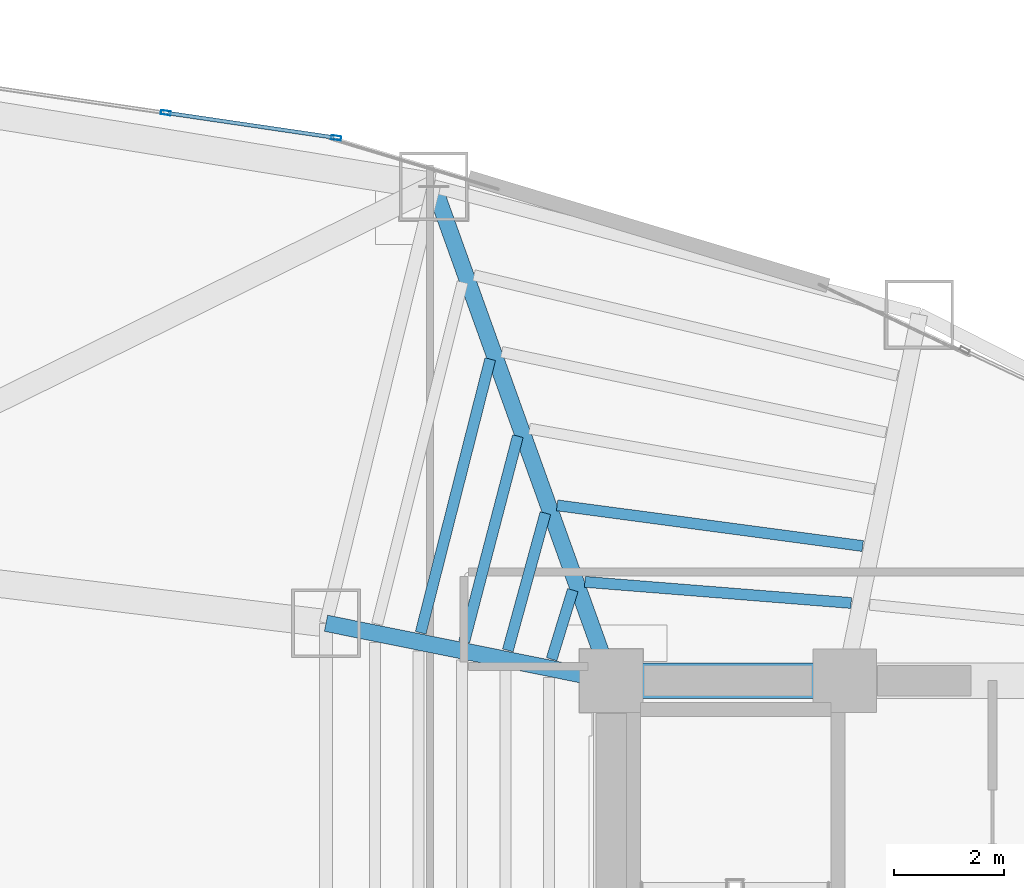
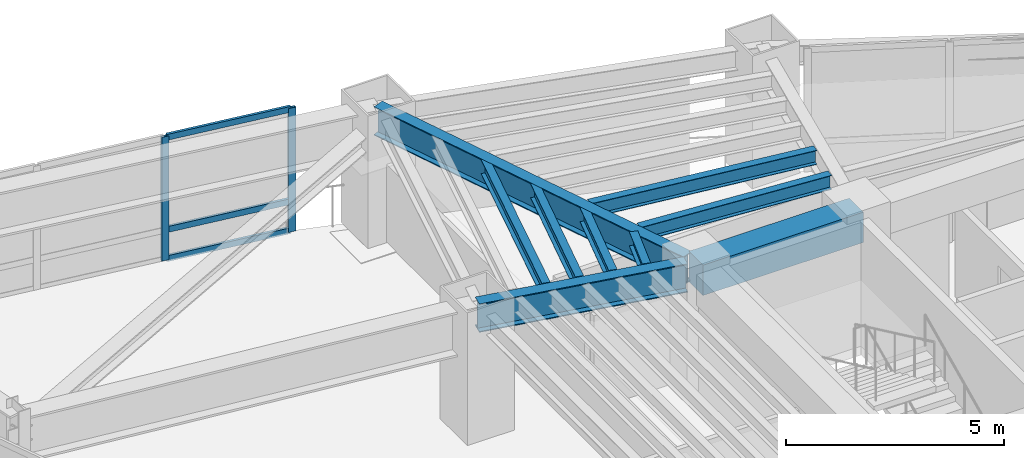
# One storey, part 12 of 23: 9 beams, 5 members, 1 element without a shape of its own.
"""IFC4 building model written with IfcOpenShell, lengths in metres."""

from ifc_helpers import new_model, si_unit, direction, frame, origin, origin_2d, place, context, subcontext, project, spatial, rectangle, hollow_rectangle, i_section, extrude, material, layer, layer_set, material_profile, profile_set, type_object, element, aggregate, save


model = new_model("IFC4")

# Units and contexts
model_context = context("Model", 3, precision=1e-05, world=origin(), true_north=direction((0.0, 1.0)))
body_context = subcontext(model_context, "Body", "Model", "MODEL_VIEW")
ifc_project = project(units=[si_unit("LENGTHUNIT", "METRE"), si_unit("AREAUNIT", "SQUARE_METRE"), si_unit("VOLUMEUNIT", "CUBIC_METRE"), si_unit("PLANEANGLEUNIT", "RADIAN"), si_unit("MASSUNIT", "GRAM", prefix="KILO")], contexts=[model_context])

# Site, building, storey
site_placement = place(None, origin())
site = spatial("IfcSite", under=ifc_project, at=site_placement, CompositionType="ELEMENT")
building_placement = place(site_placement, origin())
building = spatial("IfcBuilding", under=site, at=building_placement, Name="Menara Vayukalpa", CompositionType="ELEMENT")
storey_placement = place(building_placement, frame((0.0, 0.0, 111.419921875)))
storey = spatial("IfcBuildingStorey", under=building, at=storey_placement, Name="L27", CompositionType="ELEMENT", Elevation=111.419921875)

# Beams
ifc_material_1 = material(Name="Concrete C60/75", Category="concrete")
ifc_material_profile_1 = material_profile(ifc_material_1, rectangle(XDim=0.64990234375, YDim=0.85009765625, at=origin_2d()), Name="RC 650x850")
ifc_profile_set_1 = profile_set([ifc_material_profile_1], Name="Concrete C60/75")
beam_type_1 = type_object("IfcBeamType", Name="BM-CB1", PredefinedType="BEAM", material=ifc_profile_set_1)
beam_1_placement = place(storey_placement, frame((17.800048828125, 26.800048828125, 3.045166015625), z_axis=(1.0, 0.0, 0.0), x_axis=(0.0, 1.0, 0.0)))
element("IfcBeam", 1, at=beam_1_placement, inside=storey, type_object=beam_type_1, Name="L27 Core Tie Beam CBR4", PredefinedType="BEAM", context=body_context, shape_type="SweptSolid", body=[
    extrude(rectangle(XDim=0.64990234375, YDim=0.85009765625, at=origin_2d()), origin(), (0.0, 0.0, 1.0), 4.25),
])
ifc_material_2 = material(Name="Steel S355", Category="steel")
ifc_material_profile_2 = material_profile(ifc_material_2, i_section(OverallWidth=0.300048828125, OverallDepth=0.800048828125, WebThickness=0.013916015625, FlangeThickness=0.02587890625, at=origin_2d()), Name="WF 800x300x14x26")
ifc_profile_set_2 = profile_set([ifc_material_profile_2], Name="Steel S355")
beam_type_2 = type_object("IfcBeamType", Name="BM-PG3", PredefinedType="BEAM", material=ifc_profile_set_2)
beam_2_placement = place(storey_placement, frame((17.715576171875, 27.035400390625, 3.070068359375), z_axis=(-0.337975542909, 0.941154892882, 0.0), x_axis=(-0.941154892882, -0.337975542909, 0.0)))
element("IfcBeam", 2, at=beam_2_placement, inside=storey, type_object=beam_type_2, Name="L27 Primary Radial Girder RG04", PredefinedType="BEAM", context=body_context, shape_type="SweptSolid", body=[
    extrude(i_section(OverallWidth=0.300048828125, OverallDepth=0.800048828125, WebThickness=0.013916015625, FlangeThickness=0.02587890625, at=origin_2d()), origin(), (0.0, 0.0, 1.0), 9.309814453125),
])
beam_3_placement = place(storey_placement, frame((17.554931640625, 26.849365234375, 3.070068359375), z_axis=(-0.980324984906, 0.197390283373, 0.0), x_axis=(-0.197390283373, -0.980324984906, 0.0)))
element("IfcBeam", 3, at=beam_3_placement, inside=storey, type_object=beam_type_2, Name="L27 Primary Radial Girder RG05", PredefinedType="BEAM", context=body_context, shape_type="SweptSolid", body=[
    extrude(i_section(OverallWidth=0.300048828125, OverallDepth=0.800048828125, WebThickness=0.013916015625, FlangeThickness=0.02587890625, at=origin_2d()), origin(), (0.0, 0.0, 1.0), 5.047607421875),
])
ifc_material_3 = material(Name="Steel S355", Category="steel")
ifc_material_profile_3 = material_profile(ifc_material_3, i_section(OverallWidth=0.199951171875, OverallDepth=0.39990234375, WebThickness=0.008056640625, FlangeThickness=0.012939453125, at=origin_2d()), Name="WF 400x200x8x13")
ifc_profile_set_3 = profile_set([ifc_material_profile_3], Name="Steel S355")
beam_type_3 = type_object("IfcBeamType", Name="BM-SJ2", PredefinedType="JOIST", material=ifc_profile_set_3)
beam_4_placement = place(storey_placement, frame((22.166015625, 28.214599609375, 3.27001953125), z_axis=(-0.996868534468, 0.079076703187, 0.0), x_axis=(-0.079076703187, -0.996868534468, 0.0)))
element("IfcBeam", 4, at=beam_4_placement, inside=storey, type_object=beam_type_3, Name="L27 Secondary Floor Joist SJ03-1", PredefinedType="JOIST", context=body_context, shape_type="SweptSolid", body=[
    extrude(i_section(OverallWidth=0.199951171875, OverallDepth=0.39990234375, WebThickness=0.008056640625, FlangeThickness=0.012939453125, at=origin_2d()), origin(), (0.0, 0.0, 1.0), 4.862548828125),
])
beam_5_placement = place(storey_placement, frame((22.376220703125, 29.251220703125, 3.27001953125), z_axis=(-0.991248408809, 0.132009817941, 0.0), x_axis=(-0.132009817941, -0.991248408809, 0.0)))
element("IfcBeam", 5, at=beam_5_placement, inside=storey, type_object=beam_type_3, Name="L27 Secondary Floor Joist SJ03-2", PredefinedType="JOIST", context=body_context, shape_type="SweptSolid", body=[
    extrude(i_section(OverallWidth=0.199951171875, OverallDepth=0.39990234375, WebThickness=0.008056640625, FlangeThickness=0.012939453125, at=origin_2d()), origin(), (0.0, 0.0, 1.0), 5.611083984375),
])
beam_6_placement = place(storey_placement, frame((17.099365234375, 28.449951171875, 3.27001953125), z_axis=(-0.292651981473, -0.956219021846, 0.0), x_axis=(0.956219021846, -0.292651981473, 0.0)))
element("IfcBeam", 6, at=beam_6_placement, inside=storey, type_object=beam_type_3, Name="L27 Secondary Floor Joist SJ04-1", PredefinedType="JOIST", context=body_context, shape_type="SweptSolid", body=[
    extrude(i_section(OverallWidth=0.199951171875, OverallDepth=0.39990234375, WebThickness=0.008056640625, FlangeThickness=0.012939453125, at=origin_2d()), origin(), (0.0, 0.0, 1.0), 1.31640625),
])
beam_7_placement = place(storey_placement, frame((16.600830078125, 29.850341796875, 3.27001953125), z_axis=(-0.263922858843, -0.964543790908, 0.0), x_axis=(0.964543790908, -0.263922858843, 0.0)))
element("IfcBeam", 7, at=beam_7_placement, inside=storey, type_object=beam_type_3, Name="L27 Secondary Floor Joist SJ04-2", PredefinedType="JOIST", context=body_context, shape_type="SweptSolid", body=[
    extrude(i_section(OverallWidth=0.199951171875, OverallDepth=0.39990234375, WebThickness=0.008056640625, FlangeThickness=0.012939453125, at=origin_2d()), origin(), (0.0, 0.0, 1.0), 2.590087890625),
])
beam_8_placement = place(storey_placement, frame((16.099365234375, 31.251953125, 3.27001953125), z_axis=(-0.252406469257, -0.967621296933, 0.0), x_axis=(0.967621296933, -0.252406469257, 0.0)))
element("IfcBeam", 8, at=beam_8_placement, inside=storey, type_object=beam_type_3, Name="L27 Secondary Floor Joist SJ04-3", PredefinedType="JOIST", context=body_context, shape_type="SweptSolid", body=[
    extrude(i_section(OverallWidth=0.199951171875, OverallDepth=0.39990234375, WebThickness=0.008056640625, FlangeThickness=0.012939453125, at=origin_2d()), origin(), (0.0, 0.0, 1.0), 3.865234375),
])
beam_9_placement = place(storey_placement, frame((15.596923828125, 32.653564453125, 3.27001953125), z_axis=(-0.246311066692, -0.969190826631, 0.0), x_axis=(0.969190826631, -0.246311066692, 0.0)))
element("IfcBeam", 9, at=beam_9_placement, inside=storey, type_object=beam_type_3, Name="L27 Secondary Floor Joist SJ04-4", PredefinedType="JOIST", context=body_context, shape_type="SweptSolid", body=[
    extrude(i_section(OverallWidth=0.199951171875, OverallDepth=0.39990234375, WebThickness=0.008056640625, FlangeThickness=0.012939453125, at=origin_2d()), origin(), (0.0, 0.0, 1.0), 5.140380859375),
])

# Curtain wall, members
ifc_material_4 = material(Name="Anodised Terracotta Aluminium Alloy 6063-T6", Category="masonry")
ifc_layer = layer(ifc_material_4, 0.179931640625)
ifc_layer_set = layer_set([ifc_layer], Name="Anodised Terracotta Aluminium Alloy 6063-T6")
curtain_wall_type = type_object("IfcCurtainWallType", Name="CW-CW4", PredefinedType="USERDEFINED", material=ifc_layer_set)
curtain_wall_placement = place(storey_placement, origin())
curtain_wall = element("IfcCurtainWall", 10, at=curtain_wall_placement, inside=storey, type_object=curtain_wall_type, Name="L27 Sky Bar Cantilever Glazed Curtain Wall CW4 07", ObjectType="UNITISED", PredefinedType="USERDEFINED")
ifc_material_5 = material(Name="Anodised Terracotta Aluminium Alloy 6063-T6", Category="masonry")
ifc_material_profile_4 = material_profile(ifc_material_5, hollow_rectangle(XDim=0.074951171875, YDim=0.179931640625, WallThickness=0.00390625, at=origin_2d()), Name="ALU 75x180x4")
ifc_profile_set_4 = profile_set([ifc_material_profile_4], Name="Anodised Terracotta Aluminium Alloy 6063-T6")
member_type_1 = type_object("IfcMemberType", Name="CWM-CW4", PredefinedType="MULLION", material=ifc_profile_set_4)
member_1_placement = place(storey_placement, frame((12.792236328125, 36.681396484375, 0.0), z_axis=(0.0, 0.0, 1.0), x_axis=(-0.145450733924, -0.989365495659, 0.0)))
member_1 = element("IfcMember", 11, at=member_1_placement, type_object=member_type_1, Name="CW4 mullion 1", PredefinedType="MULLION", context=body_context, shape_type="SweptSolid", body=[
    extrude(hollow_rectangle(XDim=0.074951171875, YDim=0.179931640625, WallThickness=0.00390625, at=origin_2d()), origin(), (0.0, 0.0, 1.0), 3.469970703125),
])
member_2_placement = place(storey_placement, frame((9.690673828125, 37.137451171875, 0.0), z_axis=(0.0, 0.0, 1.0), x_axis=(-0.145450733924, -0.989365495659, 0.0)))
member_2 = element("IfcMember", 12, at=member_2_placement, type_object=member_type_1, Name="CW4 mullion 2", PredefinedType="MULLION", context=body_context, shape_type="SweptSolid", body=[
    extrude(hollow_rectangle(XDim=0.074951171875, YDim=0.179931640625, WallThickness=0.00390625, at=origin_2d()), origin(), (0.0, 0.0, 1.0), 3.469970703125),
])
ifc_material_6 = material(Name="Anodised Terracotta Aluminium Alloy 6063-T6", Category="masonry")
ifc_material_profile_5 = material_profile(ifc_material_6, hollow_rectangle(XDim=0.070068359375, YDim=0.1650390625, WallThickness=0.00390625, at=origin_2d()), Name="ALU 70x165x4")
ifc_profile_set_5 = profile_set([ifc_material_profile_5], Name="Anodised Terracotta Aluminium Alloy 6063-T6")
member_type_2 = type_object("IfcMemberType", Name="CWT-CW4", PredefinedType="USERDEFINED", material=ifc_profile_set_5)
member_3_placement = place(storey_placement, frame((12.755126953125, 36.68701171875, 0.03515625), z_axis=(-0.989365214837, 0.145452644084, 0.0), x_axis=(-0.145452644084, -0.989365214837, 0.0)))
member_3 = element("IfcMember", 13, at=member_3_placement, type_object=member_type_2, Name="CW4 transom 1.1", ObjectType="TRANSOM", PredefinedType="USERDEFINED", context=body_context, shape_type="SweptSolid", body=[
    extrude(hollow_rectangle(XDim=0.070068359375, YDim=0.1650390625, WallThickness=0.00390625, at=origin_2d()), origin(), (0.0, 0.0, 1.0), 3.059814453125),
])
member_4_placement = place(storey_placement, frame((12.755126953125, 36.68701171875, 0.85009765625), z_axis=(-0.989365214837, 0.145452644084, 0.0), x_axis=(-0.145452644084, -0.989365214837, 0.0)))
member_4 = element("IfcMember", 14, at=member_4_placement, type_object=member_type_2, Name="CW4 transom 1.2", ObjectType="TRANSOM", PredefinedType="USERDEFINED", context=body_context, shape_type="SweptSolid", body=[
    extrude(hollow_rectangle(XDim=0.070068359375, YDim=0.1650390625, WallThickness=0.00390625, at=origin_2d()), origin(), (0.0, 0.0, 1.0), 3.059814453125),
])
member_5_placement = place(storey_placement, frame((12.755126953125, 36.68701171875, 3.43505859375), z_axis=(-0.989365214837, 0.145452644084, 0.0), x_axis=(-0.145452644084, -0.989365214837, 0.0)))
member_5 = element("IfcMember", 15, at=member_5_placement, type_object=member_type_2, Name="CW4 transom 1.3", ObjectType="TRANSOM", PredefinedType="USERDEFINED", context=body_context, shape_type="SweptSolid", body=[
    extrude(hollow_rectangle(XDim=0.070068359375, YDim=0.1650390625, WallThickness=0.00390625, at=origin_2d()), origin(), (0.0, 0.0, 1.0), 3.059814453125),
])
aggregate(curtain_wall, [member_1, member_2, member_3, member_4, member_5])

save(model, "model.ifc")
